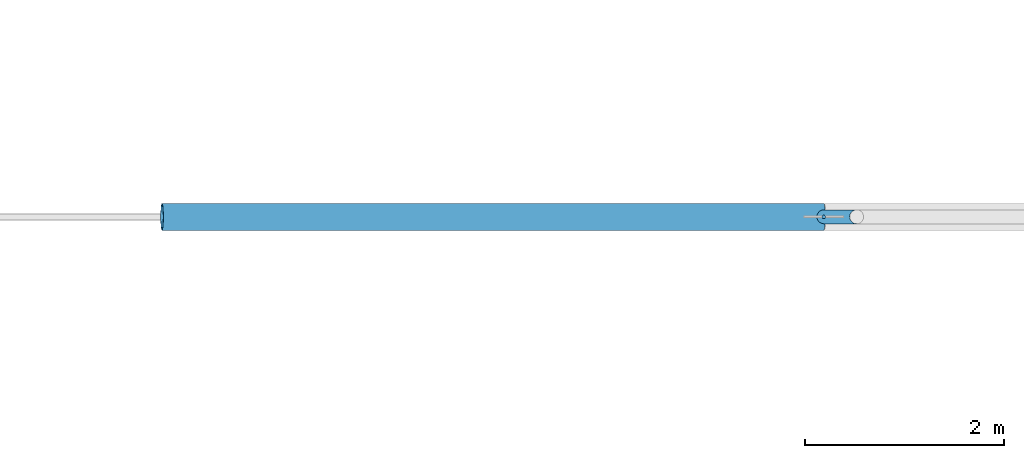
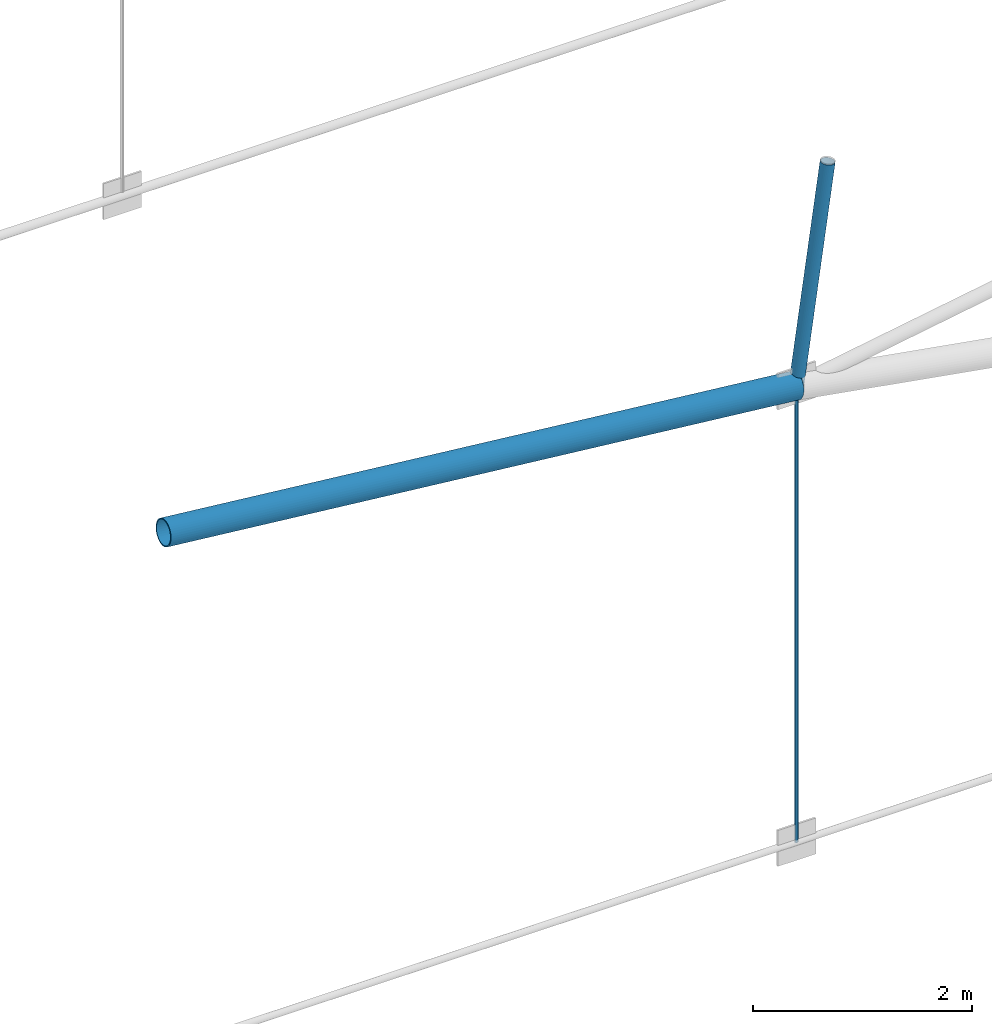
# One storey, part 107 of 321: 3 members.
"""IFC4 building model written with IfcOpenShell, lengths in metres."""

from ifc_helpers import new_model, si_unit, direction, frame, origin, origin_2d, place, context, subcontext, project, spatial, circle, hollow_circle, extrude, material, material_profile, profile_set, type_object, element, save


model = new_model("IFC4")

# Units and contexts
model_context = context("Model", 3, precision=1e-05, world=origin(), true_north=direction((0.0, 1.0)))
body_context = subcontext(model_context, "Body", "Model", "MODEL_VIEW")
ifc_project = project(units=[si_unit("LENGTHUNIT", "METRE"), si_unit("AREAUNIT", "SQUARE_METRE"), si_unit("VOLUMEUNIT", "CUBIC_METRE"), si_unit("PLANEANGLEUNIT", "RADIAN"), si_unit("MASSUNIT", "GRAM", prefix="KILO")], contexts=[model_context])

# Site, building, storey
site_placement = place(None, origin())
site = spatial("IfcSite", under=ifc_project, at=site_placement, CompositionType="ELEMENT")
building_placement = place(site_placement, origin())
building = spatial("IfcBuilding", under=site, at=building_placement, Name="Ravi Spectrum Wholesale Market", CompositionType="ELEMENT")
storey_placement = place(building_placement, frame((0.0, 0.0, 10.800048828125)))
storey = spatial("IfcBuildingStorey", under=building, at=storey_placement, Name="L02", CompositionType="ELEMENT", Elevation=10.800048828125)

# Members
ifc_material_1 = material(Name="Steel S355", Category="steel")
ifc_material_profile_1 = material_profile(ifc_material_1, hollow_circle(Radius=0.06982421875, WallThickness=0.0048828125, at=origin_2d()))
ifc_profile_set_1 = profile_set([ifc_material_profile_1], Name="Steel S355")
member_type_1 = type_object("IfcMemberType", Name="CHS 139.7x5 post", PredefinedType="POST", material=ifc_profile_set_1)
member_1_placement = place(storey_placement, frame((83.681884765625, 138.0, 7.479736328125), z_axis=(-0.137532332315, 0.0, -0.990497277921), x_axis=(0.0, -1.0, 0.0)))
element("IfcMember", 1, at=member_1_placement, inside=storey, type_object=member_type_1, Name="H1-MB-L02-791", PredefinedType="POST", context=body_context, shape_type="SweptSolid", body=[
    extrude(hollow_circle(Radius=0.06982421875, WallThickness=0.0048828125, at=origin_2d()), origin(), (0.0, 0.0, 1.0), 2.39990234375),
])
ifc_material_2 = material(Name="Steel S355", Category="steel")
ifc_material_profile_2 = material_profile(ifc_material_2, hollow_circle(Radius=0.136474609375, WallThickness=0.010009765625, at=origin_2d()))
ifc_profile_set_2 = profile_set([ifc_material_profile_2], Name="Steel S355")
member_type_2 = type_object("IfcMemberType", Name="CHS 273x10 chord", PredefinedType="CHORD", material=ifc_profile_set_2)
member_2_placement = place(storey_placement, frame((76.69189453125, 138.0, 5.79443359375), z_axis=(0.994646786479, 0.0, -0.103333296414), x_axis=(0.0, 1.0, 0.0)))
element("IfcMember", 2, at=member_2_placement, inside=storey, type_object=member_type_2, Name="H1-MB-L02-779", PredefinedType="CHORD", context=body_context, shape_type="SweptSolid", body=[
    extrude(hollow_circle(Radius=0.136474609375, WallThickness=0.010009765625, at=origin_2d()), origin(), (0.0, 0.0, 1.0), 6.69580078125),
])
ifc_material_3 = material(Name="Steel S355", Category="steel")
ifc_material_profile_3 = material_profile(ifc_material_3, circle(Radius=0.01806640625, at=origin_2d()))
ifc_profile_set_3 = profile_set([ifc_material_profile_3], Name="Steel S355")
member_type_3 = type_object("IfcMemberType", Name="ROD 36 hanger", PredefinedType="STRUT", material=ifc_profile_set_3)
member_3_placement = place(storey_placement, frame((83.351806640625, 138.0, 0.023193359375), z_axis=(0.0, 0.0, 1.0), x_axis=(1.0, 0.0, 0.0)))
element("IfcMember", 3, at=member_3_placement, inside=storey, type_object=member_type_3, Name="H1-MB-L02-809", PredefinedType="STRUT", context=body_context, shape_type="SweptSolid", body=[
    extrude(circle(Radius=0.01806640625, at=origin_2d()), origin(), (0.0, 0.0, 1.0), 5.079345703125),
])

save(model, "model.ifc")
